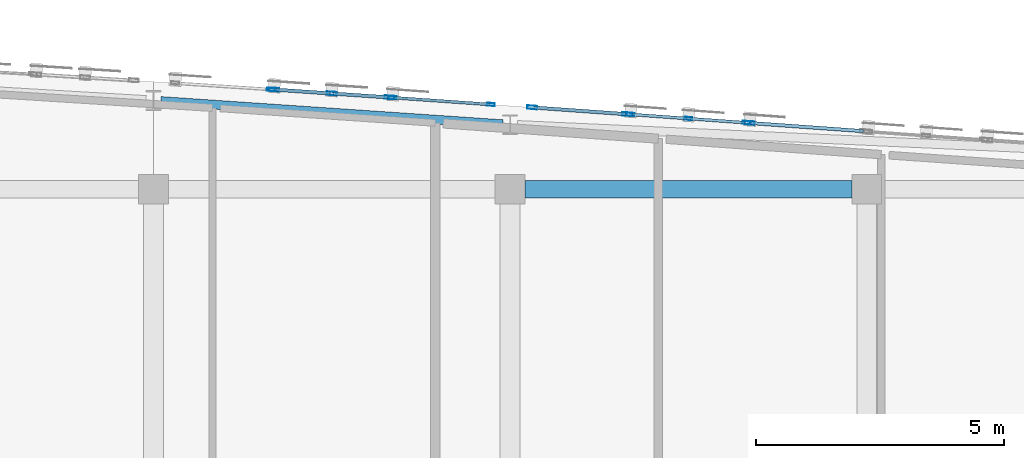
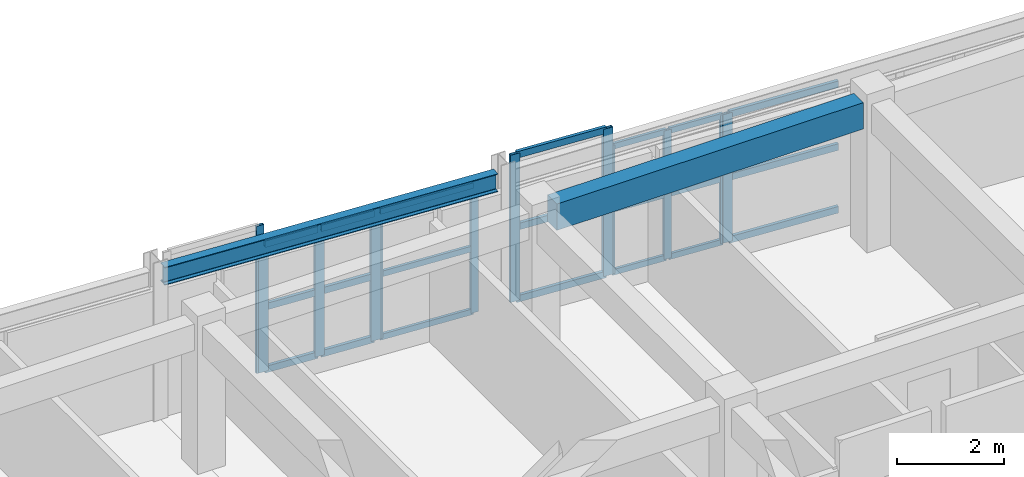
# One storey, part 25 of 50: 33 members, 2 beams, 6 elements without a shape of their own.
"""IFC4 building model written with IfcOpenShell, lengths in metres."""

import ifcopenshell
import ifcopenshell.guid

model = None  # the IFC model being written
_history = None  # IfcOwnerHistory: only IFC2X3 demands one
_inside = {}  # id of a spatial element -> (the spatial element, [elements in it])
_under = {}  # id of a project, library or spatial element -> (it, [spatial elements below it])
_declared = {}  # id of a project -> (the project, [libraries it declares])
_typed = {}  # id of a type object -> (the type object, [elements of that type])
_made_of = {}  # id of a material, layer set ... -> (it, [elements and type objects made of it])


def new_model(schema):
    """Start an empty IFC model of exactly this schema.

    Asked for "IFC4X3", IfcOpenShell would pick the latest addendum, in which some entities
    have other attributes; the version numbers below select the first issue.
    IFC2X3 requires an IfcOwnerHistory on every rooted entity: one is made here for all.
    """
    global model, _history
    if schema == "IFC4X3":
        model = ifcopenshell.file(schema_version=(4, 3, 0, 0))
    else:
        model = ifcopenshell.file(schema=schema)
    _inside.clear()
    _under.clear()
    _declared.clear()
    _typed.clear()
    _made_of.clear()
    _history = None
    if model.schema == "IFC2X3":
        org = make("IfcOrganization", Name="unknown")
        user = make(
            "IfcPersonAndOrganization",
            ThePerson=make("IfcPerson", FamilyName="unknown"),
            TheOrganization=org,
        )
        app = make(
            "IfcApplication",
            ApplicationDeveloper=org,
            Version="unknown",
            ApplicationFullName="unknown",
            ApplicationIdentifier="unknown",
        )
        _history = make(
            "IfcOwnerHistory",
            OwningUser=user,
            OwningApplication=app,
            ChangeAction="ADDED",
            CreationDate=0,
        )
    return model


def make(cls, **values):
    """One entity of the class cls with the attributes given. An attribute that is None is left unset."""
    return model.create_entity(
        cls, **{name: value for name, value in values.items() if value is not None}
    )


def rooted(cls, **values):
    """An entity with a GlobalId (a new one), such as an element, a storey or a relation."""
    return make(cls, GlobalId=ifcopenshell.guid.new(), OwnerHistory=_history, **values)


def si_unit(unit_type, name, prefix=None):
    """IfcSIUnit, for example si_unit("LENGTHUNIT", "METRE", prefix="MILLI")."""
    return make("IfcSIUnit", UnitType=unit_type, Prefix=prefix, Name=name)


def assignment(units):
    """IfcUnitAssignment: the units of a project."""
    return None if units is None else make("IfcUnitAssignment", Units=units)


def point(xyz):
    """IfcCartesianPoint."""
    return None if xyz is None else make("IfcCartesianPoint", Coordinates=xyz)


def direction(xyz):
    """IfcDirection."""
    return None if xyz is None else make("IfcDirection", DirectionRatios=xyz)


def frame(location, z_axis=None, x_axis=None):
    """IfcAxis2Placement3D, a coordinate frame: its origin and axes. An axis left out is left unset."""
    return make(
        "IfcAxis2Placement3D",
        Location=point(location),
        Axis=direction(z_axis),
        RefDirection=direction(x_axis),
    )


def frame_2d(location, x_axis=None):
    """IfcAxis2Placement2D, a coordinate frame in the plane: its origin and x axis."""
    return make(
        "IfcAxis2Placement2D", Location=point(location), RefDirection=direction(x_axis)
    )


def origin():
    """The frame at (0, 0, 0) with its axes left unset."""
    return frame((0.0, 0.0, 0.0))


def origin_2d():
    """The frame at (0, 0) in the plane with its x axis left unset."""
    return frame_2d((0.0, 0.0))


def place(relative_to, where):
    """IfcLocalPlacement: puts the frame where relative to a parent placement (None: the world)."""
    return make(
        "IfcLocalPlacement", PlacementRelTo=relative_to, RelativePlacement=where
    )


def context(
    kind, dimensions, precision=None, world=None, true_north=None, identifier=None
):
    """IfcGeometricRepresentationContext, for example the 3D "Model" context."""
    return make(
        "IfcGeometricRepresentationContext",
        ContextIdentifier=identifier,
        ContextType=kind,
        CoordinateSpaceDimension=dimensions,
        Precision=precision,
        WorldCoordinateSystem=world,
        TrueNorth=true_north,
    )


def subcontext(parent, identifier, kind, view, scale=None):
    """IfcGeometricRepresentationSubContext, for example "Body" below "Model"."""
    return make(
        "IfcGeometricRepresentationSubContext",
        ContextIdentifier=identifier,
        ContextType=kind,
        ParentContext=parent,
        TargetScale=scale,
        TargetView=view,
    )


def project(units=None, contexts=None):
    """IfcProject with its units and contexts."""
    return rooted(
        "IfcProject",
        Name="project",
        RepresentationContexts=contexts,
        UnitsInContext=assignment(units),
    )


def spatial(cls, under=None, at=None, **own):
    """A site, building, storey or space (cls), placed at a placement, below another one or the project."""
    s = rooted(cls, ObjectPlacement=at, **own)
    if under is not None:
        _under.setdefault(under.id(), (under, []))[1].append(s)
    return s


def profile(cls, at=None, kind="AREA", **sizes):
    """A parametric profile (cls). Its sizes go by their IFC names, for example OverallWidth=200.0."""
    return make(cls, ProfileType=kind, Position=at, **sizes)


def rectangle(**sizes):
    """IfcRectangleProfileDef."""
    return profile("IfcRectangleProfileDef", **sizes)


def hollow_rectangle(**sizes):
    """IfcRectangleHollowProfileDef."""
    return profile("IfcRectangleHollowProfileDef", **sizes)


def i_section(**sizes):
    """IfcIShapeProfileDef."""
    return profile("IfcIShapeProfileDef", **sizes)


def extrude(swept, where, along, depth):
    """IfcExtrudedAreaSolid: the profile swept, set in the frame where, extruded along a direction by depth."""
    return make(
        "IfcExtrudedAreaSolid",
        SweptArea=swept,
        Position=where,
        ExtrudedDirection=direction(along),
        Depth=depth,
    )


def shape(context_of_items, identifier, shape_type, items):
    """IfcShapeRepresentation: the items that make up one representation, for example the "Body"."""
    return make(
        "IfcShapeRepresentation",
        ContextOfItems=context_of_items,
        RepresentationIdentifier=identifier,
        RepresentationType=shape_type,
        Items=items,
    )


def material(Name=None, Category=None):
    """IfcMaterial."""
    return make("IfcMaterial", Name=Name, Category=Category)


def layer(
    of_material, thickness, ventilated=None, Name=None, Category=None, Priority=None
):
    """IfcMaterialLayer: one layer of a wall or slab, of a material (None: an air gap)."""
    return make(
        "IfcMaterialLayer",
        Material=of_material,
        LayerThickness=thickness,
        IsVentilated=ventilated,
        Name=Name,
        Category=Category,
        Priority=Priority,
    )


def layer_set(layers, Name=None):
    """IfcMaterialLayerSet."""
    return make("IfcMaterialLayerSet", MaterialLayers=layers, LayerSetName=Name)


def material_profile(
    of_material, cross_section, Name=None, Category=None, Priority=None
):
    """IfcMaterialProfile: a cross section and its material."""
    return make(
        "IfcMaterialProfile",
        Name=Name,
        Material=of_material,
        Profile=cross_section,
        Priority=Priority,
        Category=Category,
    )


def profile_set(profiles, Name=None, composite=None):
    """IfcMaterialProfileSet."""
    return make(
        "IfcMaterialProfileSet",
        Name=Name,
        MaterialProfiles=profiles,
        CompositeProfile=composite,
    )


def made_of(thing, what):
    """Note that an element or type object is made of a material, layer set ...; save() writes the relation."""
    if what is not None:
        _made_of.setdefault(what.id(), (what, []))[1].append(thing)
    return thing


def type_object(cls, material=None, **own):
    """A type object (cls), such as IfcWallType, which elements share."""
    return made_of(rooted(cls, **own), material)


def element(
    cls,
    number,
    at=None,
    inside=None,
    cuts=None,
    type_object=None,
    material=None,
    context=None,
    identifier="Body",
    shape_type=None,
    held_by="IfcProductDefinitionShape",
    body=None,
    shapes=None,
    **own,
):
    """One element of the class cls, such as IfcWall. Its Tag is "e" and its number.

    at: its placement. inside: the storey or other place that contains it. cuts: it is an
    opening in that element (IfcRelVoidsElement). A single representation is given by context,
    identifier, shape_type and body (its items); several are given by shapes. held_by: the class
    of the entity that holds the representations. save() writes the other relations.
    """
    e = rooted(cls, Tag="e%d" % number, ObjectPlacement=at, **own)
    if body is not None:
        shapes = [shape(context, identifier, shape_type, body)]
    if shapes is not None:
        e.Representation = make(held_by, Representations=shapes)
    if inside is not None:
        _inside.setdefault(inside.id(), (inside, []))[1].append(e)
    if cuts is not None:
        rooted(
            "IfcRelVoidsElement", RelatingBuildingElement=cuts, RelatedOpeningElement=e
        )
    if type_object is not None:
        _typed.setdefault(type_object.id(), (type_object, []))[1].append(e)
    return made_of(e, material)


def aggregate(whole, parts):
    """IfcRelAggregates: a whole, such as a stair, and the parts it consists of."""
    return rooted("IfcRelAggregates", RelatingObject=whole, RelatedObjects=parts)


def save(model, path):
    """Write the relations noted so far, then the file.

    IfcRelAggregates (storeys below a building ...), IfcRelContainedInSpatialStructure (elements
    in a storey), IfcRelDefinesByType, IfcRelAssociatesMaterial and IfcRelDeclares: one each for
    every whole, place, type object, material and project.
    """
    for whole, parts in _under.values():
        aggregate(whole, parts)
    for where, things in _inside.values():
        rooted(
            "IfcRelContainedInSpatialStructure",
            RelatedElements=things,
            RelatingStructure=where,
        )
    for kind, things in _typed.values():
        rooted("IfcRelDefinesByType", RelatedObjects=things, RelatingType=kind)
    for what, things in _made_of.values():
        rooted("IfcRelAssociatesMaterial", RelatedObjects=things, RelatingMaterial=what)
    for by, libraries in _declared.values():
        rooted("IfcRelDeclares", RelatingContext=by, RelatedDefinitions=libraries)
    model.write(path)


model = new_model("IFC4")

# Units and contexts
model_context = context("Model", 3, precision=1e-05, world=origin(), true_north=direction((0.0, 1.0)))
body_context = subcontext(model_context, "Body", "Model", "MODEL_VIEW")
ifc_project = project(units=[si_unit("LENGTHUNIT", "METRE"), si_unit("AREAUNIT", "SQUARE_METRE"), si_unit("VOLUMEUNIT", "CUBIC_METRE"), si_unit("PLANEANGLEUNIT", "RADIAN"), si_unit("MASSUNIT", "GRAM", prefix="KILO")], contexts=[model_context])

# Site, building, storey
site_placement = place(None, origin())
site = spatial("IfcSite", under=ifc_project, at=site_placement, CompositionType="ELEMENT")
building_placement = place(site_placement, origin())
building = spatial("IfcBuilding", under=site, at=building_placement, Name="Carrowvane Square Congress Hotel", CompositionType="ELEMENT")
storey_placement = place(building_placement, frame((0.0, 0.0, 22.800048828125)))
storey = spatial("IfcBuildingStorey", under=building, at=storey_placement, Name="L05", CompositionType="ELEMENT", Elevation=22.800048828125)

# Beams
ifc_material_1 = material(Name="Concrete C35/45", Category="concrete")
ifc_material_profile_1 = material_profile(ifc_material_1, rectangle(XDim=0.35009765625, YDim=0.60009765625, at=origin_2d()), Name="RC 350x600")
ifc_profile_set_1 = profile_set([ifc_material_profile_1], Name="Concrete C35/45")
beam_type_1 = type_object("IfcBeamType", Name="BM-RC-350x600", PredefinedType="BEAM", material=ifc_profile_set_1)
beam_1_placement = place(storey_placement, frame((134.300048828125, 113.39990234375, 3.050048828125), z_axis=(1.0, 0.0, 0.0), x_axis=(0.0, 1.0, 0.0)))
element("IfcBeam", 1, at=beam_1_placement, inside=storey, type_object=beam_type_1, Name="L06 girder R/18-19", PredefinedType="BEAM", context=body_context, shape_type="SweptSolid", body=[
    extrude(rectangle(XDim=0.35009765625, YDim=0.60009765625, at=origin_2d()), origin(), (0.0, 0.0, 1.0), 6.599853515625),
])
ifc_material_2 = material(Name="Steel S355", Category="steel")
ifc_material_profile_2 = material_profile(ifc_material_2, i_section(OverallWidth=0.1787109375, OverallDepth=0.409423828125, WebThickness=0.0087890625, FlangeThickness=0.014404296875, FilletRadius=0.01025390625, at=origin_2d()), Name="UKB 406x178x67")
ifc_profile_set_2 = profile_set([ifc_material_profile_2], Name="Steel S355")
beam_type_2 = type_object("IfcBeamType", Name="BM-ST-UKB406", PredefinedType="BEAM", material=ifc_profile_set_2)
beam_2_placement = place(storey_placement, frame((126.94970703125, 115.18408203125, 3.145263671875), z_axis=(0.997707965639, -0.067666943928, 0.0), x_axis=(0.067666943928, 0.997707965639, 0.0)))
element("IfcBeam", 2, at=beam_2_placement, inside=storey, type_object=beam_type_2, Name="L06 curved north spandrel", PredefinedType="BEAM", context=body_context, shape_type="SweptSolid", body=[
    extrude(i_section(OverallWidth=0.1787109375, OverallDepth=0.409423828125, WebThickness=0.0087890625, FlangeThickness=0.014404296875, FilletRadius=0.01025390625, at=origin_2d()), origin(), (0.0, 0.0, 1.0), 6.91650390625),
])

# Curtain wall, member
ifc_material_3 = material(Name="Anodised aluminium", Category="aluminium")
ifc_layer_1 = layer(ifc_material_3, 0.162109375)
ifc_layer_set_1 = layer_set([ifc_layer_1], Name="Anodised aluminium")
curtain_wall_type_1 = type_object("IfcCurtainWallType", Name="CW-SYS-1", PredefinedType="NOTDEFINED", material=ifc_layer_set_1)
curtain_wall_1_placement = place(storey_placement, origin())
curtain_wall_1 = element("IfcCurtainWall", 3, at=curtain_wall_1_placement, inside=storey, type_object=curtain_wall_type_1, Name="L05 unitised curtain wall 344", PredefinedType="NOTDEFINED")
ifc_material_4 = material(Name="Anodised aluminium", Category="aluminium")
ifc_material_profile_3 = material_profile(ifc_material_4, hollow_rectangle(XDim=0.06005859375, YDim=0.159912109375, WallThickness=0.00390625, at=origin_2d()), Name="CW-ML 60x160x4")
ifc_profile_set_3 = profile_set([ifc_material_profile_3], Name="Anodised aluminium")
member_type_1 = type_object("IfcMemberType", Name="CW-MUL-1", PredefinedType="MULLION", material=ifc_profile_set_3)
member_1_placement = place(storey_placement, frame((129.170166015625, 115.4189453125, 0.0), z_axis=(0.0, 0.0, 1.0), x_axis=(0.065413941589, 0.9978582145, 0.0)))
member_1 = element("IfcMember", 4, at=member_1_placement, type_object=member_type_1, Name="CW-1 mullion 2", PredefinedType="MULLION", context=body_context, shape_type="SweptSolid", body=[
    extrude(hollow_rectangle(XDim=0.06005859375, YDim=0.159912109375, WallThickness=0.00390625, at=origin_2d()), origin(), (0.0, 0.0, 1.0), 3.349853515625),
])
aggregate(curtain_wall_1, [member_1])

# Curtain wall, members
ifc_material_5 = material(Name="Anodised aluminium", Category="aluminium")
ifc_layer_2 = layer(ifc_material_5, 0.18603515625)
ifc_layer_set_2 = layer_set([ifc_layer_2], Name="Anodised aluminium")
curtain_wall_type_2 = type_object("IfcCurtainWallType", Name="CW-SYS-3", PredefinedType="NOTDEFINED", material=ifc_layer_set_2)
curtain_wall_2_placement = place(storey_placement, origin())
curtain_wall_2 = element("IfcCurtainWall", 5, at=curtain_wall_2_placement, inside=storey, type_object=curtain_wall_type_2, Name="L05 unitised curtain wall 346", PredefinedType="NOTDEFINED")
member_2_placement = place(storey_placement, frame((131.6298828125, 115.251708984375, 0.0), z_axis=(0.0, 0.0, 1.0), x_axis=(0.069726879118, 0.997566119277, 0.0)))
member_2 = element("IfcMember", 6, at=member_2_placement, type_object=member_type_1, Name="CW-3 mullion 1", PredefinedType="MULLION", context=body_context, shape_type="SweptSolid", body=[
    extrude(hollow_rectangle(XDim=0.06005859375, YDim=0.159912109375, WallThickness=0.00390625, at=origin_2d()), origin(), (0.0, 0.0, 1.0), 2.925537109375),
])
member_3_placement = place(storey_placement, frame((133.61279296875, 115.113037109375, 0.0), z_axis=(0.0, 0.0, 1.0), x_axis=(0.069726879118, 0.997566119277, 0.0)))
member_3 = element("IfcMember", 7, at=member_3_placement, type_object=member_type_1, Name="CW-3 mullion 2", PredefinedType="MULLION", context=body_context, shape_type="SweptSolid", body=[
    extrude(hollow_rectangle(XDim=0.06005859375, YDim=0.159912109375, WallThickness=0.00390625, at=origin_2d()), origin(), (0.0, 0.0, 1.0), 2.925537109375),
])

ifc_material_6 = material(Name="Anodised aluminium", Category="aluminium")
ifc_layer_3 = layer(ifc_material_6, 0.2099609375)
ifc_layer_set_3 = layer_set([ifc_layer_3], Name="Anodised aluminium")
curtain_wall_type_3 = type_object("IfcCurtainWallType", Name="CW-SYS-5", PredefinedType="NOTDEFINED", material=ifc_layer_set_3)
curtain_wall_3_placement = place(storey_placement, origin())
curtain_wall_3 = element("IfcCurtainWall", 8, at=curtain_wall_3_placement, inside=storey, type_object=curtain_wall_type_3, Name="L05 unitised curtain wall 348", PredefinedType="NOTDEFINED")
member_4_placement = place(storey_placement, frame((136.429931640625, 114.9130859375, 0.0), z_axis=(0.0, 0.0, 1.0), x_axis=(0.071531759512, 0.997438322595, 0.0)))
member_4 = element("IfcMember", 9, at=member_4_placement, type_object=member_type_1, Name="CW-5 mullion 1", PredefinedType="MULLION", context=body_context, shape_type="SweptSolid", body=[
    extrude(hollow_rectangle(XDim=0.06005859375, YDim=0.159912109375, WallThickness=0.00390625, at=origin_2d()), origin(), (0.0, 0.0, 1.0), 2.925537109375),
])
member_5_placement = place(storey_placement, frame((137.60009765625, 114.8291015625, 0.0), z_axis=(0.0, 0.0, 1.0), x_axis=(0.071531759512, 0.997438322595, 0.0)))
member_5 = element("IfcMember", 10, at=member_5_placement, type_object=member_type_1, Name="CW-5 mullion 2", PredefinedType="MULLION", context=body_context, shape_type="SweptSolid", body=[
    extrude(hollow_rectangle(XDim=0.06005859375, YDim=0.159912109375, WallThickness=0.00390625, at=origin_2d()), origin(), (0.0, 0.0, 1.0), 2.925537109375),
])
member_6_placement = place(storey_placement, frame((138.77001953125, 114.745361328125, 0.0), z_axis=(0.0, 0.0, 1.0), x_axis=(0.071531759512, 0.997438322595, 0.0)))
member_6 = element("IfcMember", 11, at=member_6_placement, type_object=member_type_1, Name="CW-5 mullion 3", PredefinedType="MULLION", context=body_context, shape_type="SweptSolid", body=[
    extrude(hollow_rectangle(XDim=0.06005859375, YDim=0.159912109375, WallThickness=0.00390625, at=origin_2d()), origin(), (0.0, 0.0, 1.0), 2.925537109375),
])

ifc_material_7 = material(Name="Anodised aluminium", Category="aluminium")
ifc_layer_4 = layer(ifc_material_7, 0.174072265625)
ifc_layer_set_4 = layer_set([ifc_layer_4], Name="Anodised aluminium")
curtain_wall_type_4 = type_object("IfcCurtainWallType", Name="CW-SYS-2", PredefinedType="NOTDEFINED", material=ifc_layer_set_4)
curtain_wall_4_placement = place(storey_placement, origin())
curtain_wall_4 = element("IfcCurtainWall", 12, at=curtain_wall_4_placement, inside=storey, type_object=curtain_wall_type_4, Name="L05 unitised curtain wall 345", PredefinedType="NOTDEFINED")
ifc_material_8 = material(Name="Anodised aluminium", Category="aluminium")
ifc_material_profile_4 = material_profile(ifc_material_8, hollow_rectangle(XDim=0.070068359375, YDim=0.199951171875, WallThickness=0.0048828125, at=origin_2d()), Name="CW-ML 70x200x5")
ifc_profile_set_4 = profile_set([ifc_material_profile_4], Name="Anodised aluminium")
member_type_2 = type_object("IfcMemberType", Name="CW-MUL-2", PredefinedType="MULLION", material=ifc_profile_set_4)
member_7_placement = place(storey_placement, frame((129.23486328125, 115.41455078125, 0.0), z_axis=(0.0, 0.0, 1.0), x_axis=(0.067869562107, 0.99769420292, 0.0)))
member_7 = element("IfcMember", 13, at=member_7_placement, type_object=member_type_2, Name="CW-2 mullion 1", PredefinedType="MULLION", context=body_context, shape_type="SweptSolid", body=[
    extrude(hollow_rectangle(XDim=0.070068359375, YDim=0.199951171875, WallThickness=0.0048828125, at=origin_2d()), origin(), (0.0, 0.0, 1.0), 2.925537109375),
])
member_8_placement = place(storey_placement, frame((130.39990234375, 115.33544921875, 0.0), z_axis=(0.0, 0.0, 1.0), x_axis=(0.067869562107, 0.99769420292, 0.0)))
member_8 = element("IfcMember", 14, at=member_8_placement, type_object=member_type_2, Name="CW-2 mullion 2", PredefinedType="MULLION", context=body_context, shape_type="SweptSolid", body=[
    extrude(hollow_rectangle(XDim=0.070068359375, YDim=0.199951171875, WallThickness=0.0048828125, at=origin_2d()), origin(), (0.0, 0.0, 1.0), 2.925537109375),
])
member_9_placement = place(storey_placement, frame((131.56494140625, 115.256103515625, 0.0), z_axis=(0.0, 0.0, 1.0), x_axis=(0.067869562107, 0.99769420292, 0.0)))
member_9 = element("IfcMember", 15, at=member_9_placement, type_object=member_type_2, Name="CW-2 mullion 3", PredefinedType="MULLION", context=body_context, shape_type="SweptSolid", body=[
    extrude(hollow_rectangle(XDim=0.070068359375, YDim=0.199951171875, WallThickness=0.0048828125, at=origin_2d()), origin(), (0.0, 0.0, 1.0), 2.925537109375),
])

ifc_material_9 = material(Name="Anodised aluminium", Category="aluminium")
ifc_layer_5 = layer(ifc_material_9, 0.197998046875)
ifc_layer_set_5 = layer_set([ifc_layer_5], Name="Anodised aluminium")
curtain_wall_type_5 = type_object("IfcCurtainWallType", Name="CW-SYS-4", PredefinedType="NOTDEFINED", material=ifc_layer_set_5)
curtain_wall_5_placement = place(storey_placement, origin())
curtain_wall_5 = element("IfcCurtainWall", 16, at=curtain_wall_5_placement, inside=storey, type_object=curtain_wall_type_5, Name="L05 unitised curtain wall 347", PredefinedType="NOTDEFINED")
member_10_placement = place(storey_placement, frame((134.445556640625, 115.05419921875, 0.0), z_axis=(0.0, 0.0, 1.0), x_axis=(0.070959862453, 0.997479171673, 0.0)))
member_10 = element("IfcMember", 17, at=member_10_placement, type_object=member_type_2, Name="CW-4 mullion 1", PredefinedType="MULLION", context=body_context, shape_type="SweptSolid", body=[
    extrude(hollow_rectangle(XDim=0.070068359375, YDim=0.199951171875, WallThickness=0.0048828125, at=origin_2d()), origin(), (0.0, 0.0, 1.0), 3.349853515625),
])
member_11_placement = place(storey_placement, frame((136.365234375, 114.917724609375, 0.0), z_axis=(0.0, 0.0, 1.0), x_axis=(0.070959862453, 0.997479171673, 0.0)))
member_11 = element("IfcMember", 18, at=member_11_placement, type_object=member_type_2, Name="CW-4 mullion 2", PredefinedType="MULLION", context=body_context, shape_type="SweptSolid", body=[
    extrude(hollow_rectangle(XDim=0.070068359375, YDim=0.199951171875, WallThickness=0.0048828125, at=origin_2d()), origin(), (0.0, 0.0, 1.0), 3.349853515625),
])

# Curtain wall, member
ifc_material_10 = material(Name="Anodised aluminium", Category="aluminium")
ifc_layer_6 = layer(ifc_material_10, 0.221923828125)
ifc_layer_set_6 = layer_set([ifc_layer_6], Name="Anodised aluminium")
curtain_wall_type_6 = type_object("IfcCurtainWallType", Name="CW-SYS-6", PredefinedType="NOTDEFINED", material=ifc_layer_set_6)
curtain_wall_6_placement = place(storey_placement, origin())
curtain_wall_6 = element("IfcCurtainWall", 19, at=curtain_wall_6_placement, inside=storey, type_object=curtain_wall_type_6, Name="L05 unitised curtain wall 349", PredefinedType="NOTDEFINED")
member_12_placement = place(storey_placement, frame((138.8349609375, 114.74072265625, 0.0), z_axis=(0.0, 0.0, 1.0), x_axis=(0.071422490945, 0.997446152826, 0.0)))
member_12 = element("IfcMember", 20, at=member_12_placement, type_object=member_type_2, Name="CW-6 mullion 1", PredefinedType="MULLION", context=body_context, shape_type="SweptSolid", body=[
    extrude(hollow_rectangle(XDim=0.070068359375, YDim=0.199951171875, WallThickness=0.0048828125, at=origin_2d()), origin(), (0.0, 0.0, 1.0), 2.925537109375),
])

# Member
ifc_material_11 = material(Name="Anodised aluminium", Category="aluminium")
ifc_material_profile_5 = material_profile(ifc_material_11, hollow_rectangle(XDim=0.06005859375, YDim=0.1298828125, WallThickness=0.00390625, at=origin_2d()), Name="CW-TR 60x130x4")
ifc_profile_set_5 = profile_set([ifc_material_profile_5], Name="Anodised aluminium")
member_type_3 = type_object("IfcMemberType", Name="CW-TRN-1", PredefinedType="USERDEFINED", material=ifc_profile_set_5)
member_13_placement = place(storey_placement, frame((131.659912109375, 115.24951171875, 0.030029296875), z_axis=(0.997570599543, -0.069662751365, 0.0), x_axis=(0.069662751365, 0.997570599543, 0.0)))
member_13 = element("IfcMember", 21, at=member_13_placement, type_object=member_type_3, Name="CW-3 transom 1.1", ObjectType="TRANSOM", PredefinedType="USERDEFINED", context=body_context, shape_type="SweptSolid", body=[
    extrude(hollow_rectangle(XDim=0.06005859375, YDim=0.1298828125, WallThickness=0.00390625, at=origin_2d()), origin(), (0.0, 0.0, 1.0), 1.927490234375),
])

member_14_placement = place(storey_placement, frame((131.659912109375, 115.24951171875, 1.462646484375), z_axis=(0.997570599543, -0.069662751365, 0.0), x_axis=(0.069662751365, 0.997570599543, 0.0)))
member_14 = element("IfcMember", 22, at=member_14_placement, type_object=member_type_3, Name="CW-3 transom 1.2", ObjectType="TRANSOM", PredefinedType="USERDEFINED", context=body_context, shape_type="SweptSolid", body=[
    extrude(hollow_rectangle(XDim=0.06005859375, YDim=0.1298828125, WallThickness=0.00390625, at=origin_2d()), origin(), (0.0, 0.0, 1.0), 1.927490234375),
])

member_15_placement = place(storey_placement, frame((131.659912109375, 115.24951171875, 2.8955078125), z_axis=(0.997570599543, -0.069662751365, 0.0), x_axis=(0.069662751365, 0.997570599543, 0.0)))
member_15 = element("IfcMember", 23, at=member_15_placement, type_object=member_type_3, Name="CW-3 transom 1.3", ObjectType="TRANSOM", PredefinedType="USERDEFINED", context=body_context, shape_type="SweptSolid", body=[
    extrude(hollow_rectangle(XDim=0.06005859375, YDim=0.1298828125, WallThickness=0.00390625, at=origin_2d()), origin(), (0.0, 0.0, 1.0), 1.927490234375),
])

aggregate(curtain_wall_2, [member_2, member_3, member_13, member_14, member_15])

member_16_placement = place(storey_placement, frame((136.4599609375, 114.910888671875, 0.030029296875), z_axis=(0.997439734895, -0.071512063685, 0.0), x_axis=(0.071512063685, 0.997439734895, 0.0)))
member_16 = element("IfcMember", 24, at=member_16_placement, type_object=member_type_3, Name="CW-5 transom 1.1", ObjectType="TRANSOM", PredefinedType="USERDEFINED", context=body_context, shape_type="SweptSolid", body=[
    extrude(hollow_rectangle(XDim=0.06005859375, YDim=0.1298828125, WallThickness=0.00390625, at=origin_2d()), origin(), (0.0, 0.0, 1.0), 1.113037109375),
])

member_17_placement = place(storey_placement, frame((136.4599609375, 114.910888671875, 1.462646484375), z_axis=(0.997439734895, -0.071512063685, 0.0), x_axis=(0.071512063685, 0.997439734895, 0.0)))
member_17 = element("IfcMember", 25, at=member_17_placement, type_object=member_type_3, Name="CW-5 transom 1.2", ObjectType="TRANSOM", PredefinedType="USERDEFINED", context=body_context, shape_type="SweptSolid", body=[
    extrude(hollow_rectangle(XDim=0.06005859375, YDim=0.1298828125, WallThickness=0.00390625, at=origin_2d()), origin(), (0.0, 0.0, 1.0), 1.113037109375),
])

member_18_placement = place(storey_placement, frame((136.4599609375, 114.910888671875, 2.8955078125), z_axis=(0.997439734895, -0.071512063685, 0.0), x_axis=(0.071512063685, 0.997439734895, 0.0)))
member_18 = element("IfcMember", 26, at=member_18_placement, type_object=member_type_3, Name="CW-5 transom 1.3", ObjectType="TRANSOM", PredefinedType="USERDEFINED", context=body_context, shape_type="SweptSolid", body=[
    extrude(hollow_rectangle(XDim=0.06005859375, YDim=0.1298828125, WallThickness=0.00390625, at=origin_2d()), origin(), (0.0, 0.0, 1.0), 1.113037109375),
])

member_19_placement = place(storey_placement, frame((137.6298828125, 114.826904296875, 0.030029296875), z_axis=(0.99744085634, -0.071496420221, 0.0), x_axis=(0.071496420221, 0.99744085634, 0.0)))
member_19 = element("IfcMember", 27, at=member_19_placement, type_object=member_type_3, Name="CW-5 transom 2.1", ObjectType="TRANSOM", PredefinedType="USERDEFINED", context=body_context, shape_type="SweptSolid", body=[
    extrude(hollow_rectangle(XDim=0.06005859375, YDim=0.1298828125, WallThickness=0.00390625, at=origin_2d()), origin(), (0.0, 0.0, 1.0), 1.11328125),
])

member_20_placement = place(storey_placement, frame((137.6298828125, 114.826904296875, 1.462646484375), z_axis=(0.99744085634, -0.071496420221, 0.0), x_axis=(0.071496420221, 0.99744085634, 0.0)))
member_20 = element("IfcMember", 28, at=member_20_placement, type_object=member_type_3, Name="CW-5 transom 2.2", ObjectType="TRANSOM", PredefinedType="USERDEFINED", context=body_context, shape_type="SweptSolid", body=[
    extrude(hollow_rectangle(XDim=0.06005859375, YDim=0.1298828125, WallThickness=0.00390625, at=origin_2d()), origin(), (0.0, 0.0, 1.0), 1.11328125),
])

member_21_placement = place(storey_placement, frame((137.6298828125, 114.826904296875, 2.8955078125), z_axis=(0.99744085634, -0.071496420221, 0.0), x_axis=(0.071496420221, 0.99744085634, 0.0)))
member_21 = element("IfcMember", 29, at=member_21_placement, type_object=member_type_3, Name="CW-5 transom 2.3", ObjectType="TRANSOM", PredefinedType="USERDEFINED", context=body_context, shape_type="SweptSolid", body=[
    extrude(hollow_rectangle(XDim=0.06005859375, YDim=0.1298828125, WallThickness=0.00390625, at=origin_2d()), origin(), (0.0, 0.0, 1.0), 1.11328125),
])

aggregate(curtain_wall_3, [member_4, member_5, member_6, member_16, member_17, member_18, member_19, member_20, member_21])

ifc_material_12 = material(Name="Anodised aluminium", Category="aluminium")
ifc_material_profile_6 = material_profile(ifc_material_12, hollow_rectangle(XDim=0.070068359375, YDim=0.14990234375, WallThickness=0.0048828125, at=origin_2d()), Name="CW-TR 70x150x5")
ifc_profile_set_6 = profile_set([ifc_material_profile_6], Name="Anodised aluminium")
member_type_4 = type_object("IfcMemberType", Name="CW-TRN-2", PredefinedType="USERDEFINED", material=ifc_profile_set_6)
member_22_placement = place(storey_placement, frame((129.269775390625, 115.412109375, 0.034912109375), z_axis=(0.997696709768, -0.067832700954, 0.0), x_axis=(0.067832700954, 0.997696709768, 0.0)))
member_22 = element("IfcMember", 30, at=member_22_placement, type_object=member_type_4, Name="CW-2 transom 1.1", ObjectType="TRANSOM", PredefinedType="USERDEFINED", context=body_context, shape_type="SweptSolid", body=[
    extrude(hollow_rectangle(XDim=0.070068359375, YDim=0.14990234375, WallThickness=0.0048828125, at=origin_2d()), origin(), (0.0, 0.0, 1.0), 1.09765625),
])

member_23_placement = place(storey_placement, frame((129.269775390625, 115.412109375, 1.462646484375), z_axis=(0.997696709768, -0.067832700954, 0.0), x_axis=(0.067832700954, 0.997696709768, 0.0)))
member_23 = element("IfcMember", 31, at=member_23_placement, type_object=member_type_4, Name="CW-2 transom 1.2", ObjectType="TRANSOM", PredefinedType="USERDEFINED", context=body_context, shape_type="SweptSolid", body=[
    extrude(hollow_rectangle(XDim=0.070068359375, YDim=0.14990234375, WallThickness=0.0048828125, at=origin_2d()), origin(), (0.0, 0.0, 1.0), 1.09765625),
])

member_24_placement = place(storey_placement, frame((129.269775390625, 115.412109375, 2.890625), z_axis=(0.997696709768, -0.067832700954, 0.0), x_axis=(0.067832700954, 0.997696709768, 0.0)))
member_24 = element("IfcMember", 32, at=member_24_placement, type_object=member_type_4, Name="CW-2 transom 1.3", ObjectType="TRANSOM", PredefinedType="USERDEFINED", context=body_context, shape_type="SweptSolid", body=[
    extrude(hollow_rectangle(XDim=0.070068359375, YDim=0.14990234375, WallThickness=0.0048828125, at=origin_2d()), origin(), (0.0, 0.0, 1.0), 1.09765625),
])

member_25_placement = place(storey_placement, frame((130.434814453125, 115.3330078125, 0.034912109375), z_axis=(0.997696709768, -0.067832700954, 0.0), x_axis=(0.067832700954, 0.997696709768, 0.0)))
member_25 = element("IfcMember", 33, at=member_25_placement, type_object=member_type_4, Name="CW-2 transom 2.1", ObjectType="TRANSOM", PredefinedType="USERDEFINED", context=body_context, shape_type="SweptSolid", body=[
    extrude(hollow_rectangle(XDim=0.070068359375, YDim=0.14990234375, WallThickness=0.0048828125, at=origin_2d()), origin(), (0.0, 0.0, 1.0), 1.09765625),
])

member_26_placement = place(storey_placement, frame((130.434814453125, 115.3330078125, 1.462646484375), z_axis=(0.997696709768, -0.067832700954, 0.0), x_axis=(0.067832700954, 0.997696709768, 0.0)))
member_26 = element("IfcMember", 34, at=member_26_placement, type_object=member_type_4, Name="CW-2 transom 2.2", ObjectType="TRANSOM", PredefinedType="USERDEFINED", context=body_context, shape_type="SweptSolid", body=[
    extrude(hollow_rectangle(XDim=0.070068359375, YDim=0.14990234375, WallThickness=0.0048828125, at=origin_2d()), origin(), (0.0, 0.0, 1.0), 1.09765625),
])

member_27_placement = place(storey_placement, frame((130.434814453125, 115.3330078125, 2.890625), z_axis=(0.997696709768, -0.067832700954, 0.0), x_axis=(0.067832700954, 0.997696709768, 0.0)))
member_27 = element("IfcMember", 35, at=member_27_placement, type_object=member_type_4, Name="CW-2 transom 2.3", ObjectType="TRANSOM", PredefinedType="USERDEFINED", context=body_context, shape_type="SweptSolid", body=[
    extrude(hollow_rectangle(XDim=0.070068359375, YDim=0.14990234375, WallThickness=0.0048828125, at=origin_2d()), origin(), (0.0, 0.0, 1.0), 1.09765625),
])

aggregate(curtain_wall_4, [member_7, member_8, member_9, member_22, member_23, member_24, member_25, member_26, member_27])

member_28_placement = place(storey_placement, frame((134.48046875, 115.0517578125, 0.034912109375), z_axis=(0.997479373486, -0.070957025513, 0.0), x_axis=(0.070957025513, 0.997479373486, 0.0)))
member_28 = element("IfcMember", 36, at=member_28_placement, type_object=member_type_4, Name="CW-4 transom 1.1", ObjectType="TRANSOM", PredefinedType="USERDEFINED", context=body_context, shape_type="SweptSolid", body=[
    extrude(hollow_rectangle(XDim=0.070068359375, YDim=0.14990234375, WallThickness=0.0048828125, at=origin_2d()), origin(), (0.0, 0.0, 1.0), 1.8544921875),
])

member_29_placement = place(storey_placement, frame((134.48046875, 115.0517578125, 1.675048828125), z_axis=(0.997479373486, -0.070957025513, 0.0), x_axis=(0.070957025513, 0.997479373486, 0.0)))
member_29 = element("IfcMember", 37, at=member_29_placement, type_object=member_type_4, Name="CW-4 transom 1.2", ObjectType="TRANSOM", PredefinedType="USERDEFINED", context=body_context, shape_type="SweptSolid", body=[
    extrude(hollow_rectangle(XDim=0.070068359375, YDim=0.14990234375, WallThickness=0.0048828125, at=origin_2d()), origin(), (0.0, 0.0, 1.0), 1.8544921875),
])

member_30_placement = place(storey_placement, frame((134.48046875, 115.0517578125, 3.31494140625), z_axis=(0.997479373486, -0.070957025513, 0.0), x_axis=(0.070957025513, 0.997479373486, 0.0)))
member_30 = element("IfcMember", 38, at=member_30_placement, type_object=member_type_4, Name="CW-4 transom 1.3", ObjectType="TRANSOM", PredefinedType="USERDEFINED", context=body_context, shape_type="SweptSolid", body=[
    extrude(hollow_rectangle(XDim=0.070068359375, YDim=0.14990234375, WallThickness=0.0048828125, at=origin_2d()), origin(), (0.0, 0.0, 1.0), 1.8544921875),
])

aggregate(curtain_wall_5, [member_10, member_11, member_28, member_29, member_30])

member_31_placement = place(storey_placement, frame((138.869873046875, 114.738037109375, 0.034912109375), z_axis=(0.997445557369, -0.071430806279, 0.0), x_axis=(0.071430806279, 0.997445557369, 0.0)))
member_31 = element("IfcMember", 39, at=member_31_placement, type_object=member_type_4, Name="CW-6 transom 1.1", ObjectType="TRANSOM", PredefinedType="USERDEFINED", context=body_context, shape_type="SweptSolid", body=[
    extrude(hollow_rectangle(XDim=0.070068359375, YDim=0.14990234375, WallThickness=0.0048828125, at=origin_2d()), origin(), (0.0, 0.0, 1.0), 2.26611328125),
])

member_32_placement = place(storey_placement, frame((138.869873046875, 114.738037109375, 1.462646484375), z_axis=(0.997445557369, -0.071430806279, 0.0), x_axis=(0.071430806279, 0.997445557369, 0.0)))
member_32 = element("IfcMember", 40, at=member_32_placement, type_object=member_type_4, Name="CW-6 transom 1.2", ObjectType="TRANSOM", PredefinedType="USERDEFINED", context=body_context, shape_type="SweptSolid", body=[
    extrude(hollow_rectangle(XDim=0.070068359375, YDim=0.14990234375, WallThickness=0.0048828125, at=origin_2d()), origin(), (0.0, 0.0, 1.0), 2.26611328125),
])

member_33_placement = place(storey_placement, frame((138.869873046875, 114.738037109375, 2.890625), z_axis=(0.997445557369, -0.071430806279, 0.0), x_axis=(0.071430806279, 0.997445557369, 0.0)))
member_33 = element("IfcMember", 41, at=member_33_placement, type_object=member_type_4, Name="CW-6 transom 1.3", ObjectType="TRANSOM", PredefinedType="USERDEFINED", context=body_context, shape_type="SweptSolid", body=[
    extrude(hollow_rectangle(XDim=0.070068359375, YDim=0.14990234375, WallThickness=0.0048828125, at=origin_2d()), origin(), (0.0, 0.0, 1.0), 2.26611328125),
])

aggregate(curtain_wall_6, [member_12, member_31, member_32, member_33])

save(model, "model.ifc")
